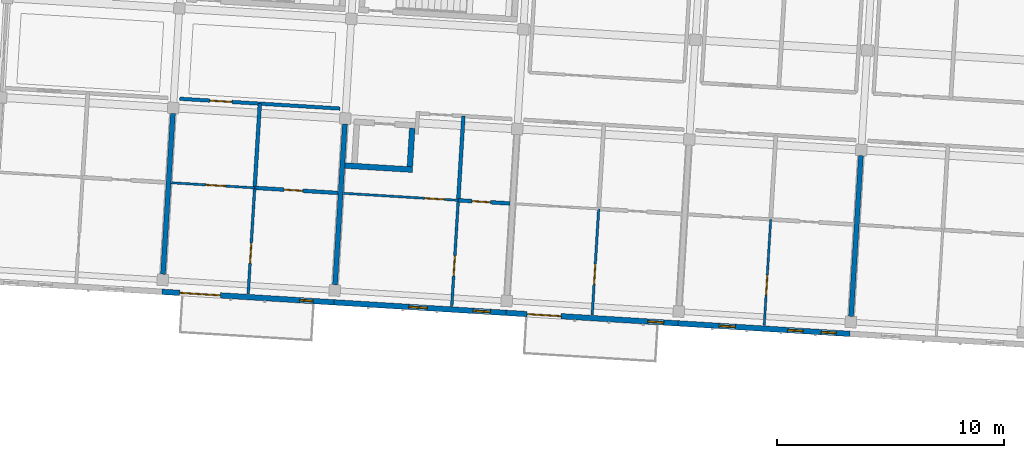
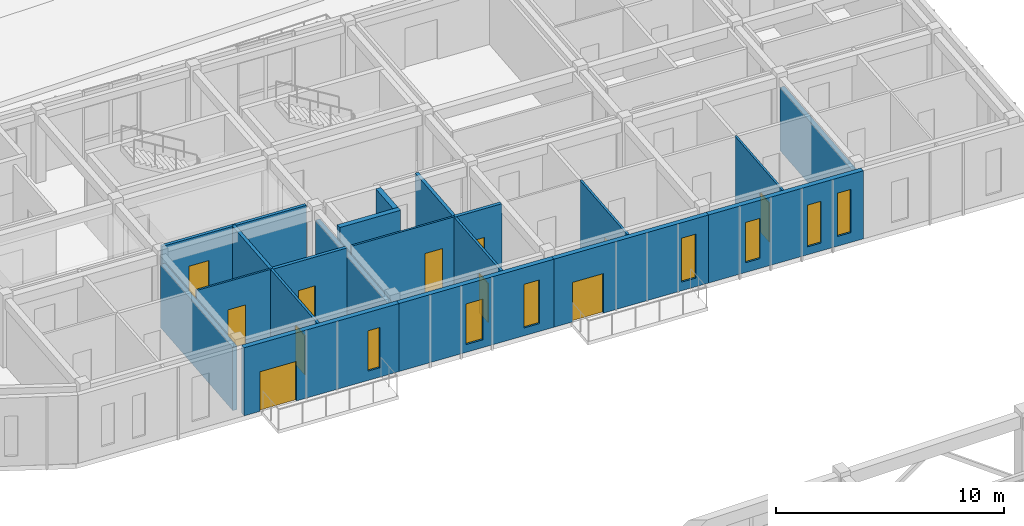
# One storey, part 87 of 150: 20 walls, 11 doors, 7 windows, 18 openings.
"""IFC4 building model written with IfcOpenShell, lengths in metres."""

import ifcopenshell
import ifcopenshell.guid

model = None  # the IFC model being written
_history = None  # IfcOwnerHistory: only IFC2X3 demands one
_inside = {}  # id of a spatial element -> (the spatial element, [elements in it])
_under = {}  # id of a project, library or spatial element -> (it, [spatial elements below it])
_declared = {}  # id of a project -> (the project, [libraries it declares])
_typed = {}  # id of a type object -> (the type object, [elements of that type])
_made_of = {}  # id of a material, layer set ... -> (it, [elements and type objects made of it])


def new_model(schema):
    """Start an empty IFC model of exactly this schema.

    Asked for "IFC4X3", IfcOpenShell would pick the latest addendum, in which some entities
    have other attributes; the version numbers below select the first issue.
    IFC2X3 requires an IfcOwnerHistory on every rooted entity: one is made here for all.
    """
    global model, _history
    if schema == "IFC4X3":
        model = ifcopenshell.file(schema_version=(4, 3, 0, 0))
    else:
        model = ifcopenshell.file(schema=schema)
    _inside.clear()
    _under.clear()
    _declared.clear()
    _typed.clear()
    _made_of.clear()
    _history = None
    if model.schema == "IFC2X3":
        org = make("IfcOrganization", Name="unknown")
        user = make(
            "IfcPersonAndOrganization",
            ThePerson=make("IfcPerson", FamilyName="unknown"),
            TheOrganization=org,
        )
        app = make(
            "IfcApplication",
            ApplicationDeveloper=org,
            Version="unknown",
            ApplicationFullName="unknown",
            ApplicationIdentifier="unknown",
        )
        _history = make(
            "IfcOwnerHistory",
            OwningUser=user,
            OwningApplication=app,
            ChangeAction="ADDED",
            CreationDate=0,
        )
    return model


def make(cls, **values):
    """One entity of the class cls with the attributes given. An attribute that is None is left unset."""
    return model.create_entity(
        cls, **{name: value for name, value in values.items() if value is not None}
    )


def rooted(cls, **values):
    """An entity with a GlobalId (a new one), such as an element, a storey or a relation."""
    return make(cls, GlobalId=ifcopenshell.guid.new(), OwnerHistory=_history, **values)


def si_unit(unit_type, name, prefix=None):
    """IfcSIUnit, for example si_unit("LENGTHUNIT", "METRE", prefix="MILLI")."""
    return make("IfcSIUnit", UnitType=unit_type, Prefix=prefix, Name=name)


def assignment(units):
    """IfcUnitAssignment: the units of a project."""
    return None if units is None else make("IfcUnitAssignment", Units=units)


def point(xyz):
    """IfcCartesianPoint."""
    return None if xyz is None else make("IfcCartesianPoint", Coordinates=xyz)


def direction(xyz):
    """IfcDirection."""
    return None if xyz is None else make("IfcDirection", DirectionRatios=xyz)


def frame(location, z_axis=None, x_axis=None):
    """IfcAxis2Placement3D, a coordinate frame: its origin and axes. An axis left out is left unset."""
    return make(
        "IfcAxis2Placement3D",
        Location=point(location),
        Axis=direction(z_axis),
        RefDirection=direction(x_axis),
    )


def frame_2d(location, x_axis=None):
    """IfcAxis2Placement2D, a coordinate frame in the plane: its origin and x axis."""
    return make(
        "IfcAxis2Placement2D", Location=point(location), RefDirection=direction(x_axis)
    )


def origin():
    """The frame at (0, 0, 0) with its axes left unset."""
    return frame((0.0, 0.0, 0.0))


def place(relative_to, where):
    """IfcLocalPlacement: puts the frame where relative to a parent placement (None: the world)."""
    return make(
        "IfcLocalPlacement", PlacementRelTo=relative_to, RelativePlacement=where
    )


def context(
    kind, dimensions, precision=None, world=None, true_north=None, identifier=None
):
    """IfcGeometricRepresentationContext, for example the 3D "Model" context."""
    return make(
        "IfcGeometricRepresentationContext",
        ContextIdentifier=identifier,
        ContextType=kind,
        CoordinateSpaceDimension=dimensions,
        Precision=precision,
        WorldCoordinateSystem=world,
        TrueNorth=true_north,
    )


def subcontext(parent, identifier, kind, view, scale=None):
    """IfcGeometricRepresentationSubContext, for example "Body" below "Model"."""
    return make(
        "IfcGeometricRepresentationSubContext",
        ContextIdentifier=identifier,
        ContextType=kind,
        ParentContext=parent,
        TargetScale=scale,
        TargetView=view,
    )


def project(units=None, contexts=None):
    """IfcProject with its units and contexts."""
    return rooted(
        "IfcProject",
        Name="project",
        RepresentationContexts=contexts,
        UnitsInContext=assignment(units),
    )


def spatial(cls, under=None, at=None, **own):
    """A site, building, storey or space (cls), placed at a placement, below another one or the project."""
    s = rooted(cls, ObjectPlacement=at, **own)
    if under is not None:
        _under.setdefault(under.id(), (under, []))[1].append(s)
    return s


def profile(cls, at=None, kind="AREA", **sizes):
    """A parametric profile (cls). Its sizes go by their IFC names, for example OverallWidth=200.0."""
    return make(cls, ProfileType=kind, Position=at, **sizes)


def rectangle(**sizes):
    """IfcRectangleProfileDef."""
    return profile("IfcRectangleProfileDef", **sizes)


def extrude(swept, where, along, depth):
    """IfcExtrudedAreaSolid: the profile swept, set in the frame where, extruded along a direction by depth."""
    return make(
        "IfcExtrudedAreaSolid",
        SweptArea=swept,
        Position=where,
        ExtrudedDirection=direction(along),
        Depth=depth,
    )


def shape(context_of_items, identifier, shape_type, items):
    """IfcShapeRepresentation: the items that make up one representation, for example the "Body"."""
    return make(
        "IfcShapeRepresentation",
        ContextOfItems=context_of_items,
        RepresentationIdentifier=identifier,
        RepresentationType=shape_type,
        Items=items,
    )


def material(Name=None, Category=None):
    """IfcMaterial."""
    return make("IfcMaterial", Name=Name, Category=Category)


def layer(
    of_material, thickness, ventilated=None, Name=None, Category=None, Priority=None
):
    """IfcMaterialLayer: one layer of a wall or slab, of a material (None: an air gap)."""
    return make(
        "IfcMaterialLayer",
        Material=of_material,
        LayerThickness=thickness,
        IsVentilated=ventilated,
        Name=Name,
        Category=Category,
        Priority=Priority,
    )


def layer_set(layers, Name=None):
    """IfcMaterialLayerSet."""
    return make("IfcMaterialLayerSet", MaterialLayers=layers, LayerSetName=Name)


def made_of(thing, what):
    """Note that an element or type object is made of a material, layer set ...; save() writes the relation."""
    if what is not None:
        _made_of.setdefault(what.id(), (what, []))[1].append(thing)
    return thing


def type_object(cls, material=None, **own):
    """A type object (cls), such as IfcWallType, which elements share."""
    return made_of(rooted(cls, **own), material)


def element(
    cls,
    number,
    at=None,
    inside=None,
    cuts=None,
    type_object=None,
    material=None,
    context=None,
    identifier="Body",
    shape_type=None,
    held_by="IfcProductDefinitionShape",
    body=None,
    shapes=None,
    **own,
):
    """One element of the class cls, such as IfcWall. Its Tag is "e" and its number.

    at: its placement. inside: the storey or other place that contains it. cuts: it is an
    opening in that element (IfcRelVoidsElement). A single representation is given by context,
    identifier, shape_type and body (its items); several are given by shapes. held_by: the class
    of the entity that holds the representations. save() writes the other relations.
    """
    e = rooted(cls, Tag="e%d" % number, ObjectPlacement=at, **own)
    if body is not None:
        shapes = [shape(context, identifier, shape_type, body)]
    if shapes is not None:
        e.Representation = make(held_by, Representations=shapes)
    if inside is not None:
        _inside.setdefault(inside.id(), (inside, []))[1].append(e)
    if cuts is not None:
        rooted(
            "IfcRelVoidsElement", RelatingBuildingElement=cuts, RelatedOpeningElement=e
        )
    if type_object is not None:
        _typed.setdefault(type_object.id(), (type_object, []))[1].append(e)
    return made_of(e, material)


def fill(opening, filler):
    """IfcRelFillsElement: the door or window that sits in an opening."""
    return rooted(
        "IfcRelFillsElement",
        RelatingOpeningElement=opening,
        RelatedBuildingElement=filler,
    )


def aggregate(whole, parts):
    """IfcRelAggregates: a whole, such as a stair, and the parts it consists of."""
    return rooted("IfcRelAggregates", RelatingObject=whole, RelatedObjects=parts)


def save(model, path):
    """Write the relations noted so far, then the file.

    IfcRelAggregates (storeys below a building ...), IfcRelContainedInSpatialStructure (elements
    in a storey), IfcRelDefinesByType, IfcRelAssociatesMaterial and IfcRelDeclares: one each for
    every whole, place, type object, material and project.
    """
    for whole, parts in _under.values():
        aggregate(whole, parts)
    for where, things in _inside.values():
        rooted(
            "IfcRelContainedInSpatialStructure",
            RelatedElements=things,
            RelatingStructure=where,
        )
    for kind, things in _typed.values():
        rooted("IfcRelDefinesByType", RelatedObjects=things, RelatingType=kind)
    for what, things in _made_of.values():
        rooted("IfcRelAssociatesMaterial", RelatedObjects=things, RelatingMaterial=what)
    for by, libraries in _declared.values():
        rooted("IfcRelDeclares", RelatingContext=by, RelatedDefinitions=libraries)
    model.write(path)


model = new_model("IFC4")

# Units and contexts
model_context = context("Model", 3, precision=1e-05, world=origin(), true_north=direction((0.0, 1.0)))
body_context = subcontext(model_context, "Body", "Model", "MODEL_VIEW")
ifc_project = project(units=[si_unit("LENGTHUNIT", "METRE"), si_unit("AREAUNIT", "SQUARE_METRE"), si_unit("VOLUMEUNIT", "CUBIC_METRE"), si_unit("PLANEANGLEUNIT", "RADIAN"), si_unit("MASSUNIT", "GRAM", prefix="KILO")], contexts=[model_context])

# Site, building, storey
site_placement = place(None, origin())
site = spatial("IfcSite", under=ifc_project, at=site_placement, CompositionType="ELEMENT")
building_placement = place(site_placement, origin())
building = spatial("IfcBuilding", under=site, at=building_placement, Name="Kestramere Prow Commons", CompositionType="ELEMENT")
storey_placement = place(building_placement, frame((0.0, 0.0, 4.5)))
storey = spatial("IfcBuildingStorey", under=building, at=storey_placement, Name="L01", CompositionType="ELEMENT", Elevation=4.5)

# Wall, openings, door, window
ifc_material_1 = material(Name="Fluoropolymer Standing-Seam Zinc-Aluminium Cladding", Category="aluminium")
ifc_layer_1 = layer(ifc_material_1, 0.239990234375)
ifc_layer_set_1 = layer_set([ifc_layer_1], Name="Fluoropolymer Standing-Seam Zinc-Aluminium Cladding")
wall_type_1 = type_object("IfcWallType", Name="EW-SEAM-240", PredefinedType="SOLIDWALL", material=ifc_layer_set_1)
wall_1_placement = place(storey_placement, frame((74.6396484375, 45.048095703125, 0.0), z_axis=(0.0, 0.0, 1.0), x_axis=(-0.998135669243, 0.061034300063, 0.0)))
wall_1 = element("IfcWall", 1, at=wall_1_placement, inside=storey, type_object=wall_type_1, Name="Block C L01 South Standing-Seam Wall 2", PredefinedType="SOLIDWALL", context=body_context, shape_type="SweptSolid", body=[
    extrude(rectangle(XDim=7.60009765625, YDim=0.239990234375, at=frame_2d((3.800048828125, 0.0))), origin(), (0.0, 0.0, 1.0), 3.64990234375),
])
opening_1_placement = place(wall_1_placement, frame((5.01904296875, 0.0, 0.0)))
opening_1 = element("IfcOpeningElement", 2, at=opening_1_placement, cuts=wall_1, Name="Opening GD-BAL-02", PredefinedType="OPENING", context=body_context, shape_type="SweptSolid", body=[
    extrude(rectangle(XDim=1.800048828125, YDim=2.1201171875, at=frame_2d((0.89990234375, 1.06005859375))), frame((0.0, 0.135009765625, 0.0), z_axis=(0.0, -1.0, 0.0), x_axis=(1.0, 0.0, 0.0)), (0.0, 0.0, 1.0), 0.27001953125),
])
opening_2_placement = place(wall_1_placement, frame((0.929931640625, 0.0, 0.5)))
opening_2 = element("IfcOpeningElement", 3, at=opening_2_placement, cuts=wall_1, Name="Opening WN-01", PredefinedType="OPENING", context=body_context, shape_type="SweptSolid", body=[
    extrude(rectangle(XDim=0.580078125, YDim=2.159912109375, at=frame_2d((0.2900390625, 1.080078125))), frame((0.0, 0.135009765625, 0.0), z_axis=(0.0, -1.0, 0.0), x_axis=(1.0, 0.0, 0.0)), (0.0, 0.0, 1.0), 0.27001953125),
])
ifc_material_2 = material(Name="Thermally-Broken Anodised Aluminium Glazed", Category="aluminium")
door_type_1 = type_object("IfcDoorType", Name="GD-BAL-1800", OperationType="SLIDING_TO_LEFT", PredefinedType="DOOR", material=ifc_material_2)
door_1_placement = place(opening_1_placement, origin())
door_1 = element("IfcDoor", 4, at=door_1_placement, inside=storey, type_object=door_type_1, Name="Block C L01 Balcony Door 2", OperationType="SLIDING_TO_LEFT", OverallHeight=2.1201171875, OverallWidth=1.800048828125, PredefinedType="DOOR", context=body_context, shape_type="SweptSolid", body=[
    extrude(rectangle(XDim=1.800048828125, YDim=2.1201171875, at=frame_2d((0.89990234375, 1.06005859375))), frame((0.0, 0.02490234375, 0.0), z_axis=(0.0, -1.0, 0.0), x_axis=(1.0, 0.0, 0.0)), (0.0, 0.0, 1.0), 0.050048828125),
])
fill(opening_1, door_1)
ifc_material_3 = material(Name="Low-E Laminated Double Glazing", Category="glass")
window_type_1 = type_object("IfcWindowType", Name="WN-NAR-580A", PartitioningType="SINGLE_PANEL", PredefinedType="WINDOW", material=ifc_material_3)
window_1_placement = place(opening_2_placement, origin())
window_1 = element("IfcWindow", 5, at=window_1_placement, inside=storey, type_object=window_type_1, Name="WN-C-L01-SR-1", OverallHeight=2.159912109375, OverallWidth=0.580078125, PartitioningType="SINGLE_PANEL", PredefinedType="WINDOW", context=body_context, shape_type="SweptSolid", body=[
    extrude(rectangle(XDim=0.580078125, YDim=2.159912109375, at=frame_2d((0.2900390625, 1.080078125))), frame((0.0, 0.030029296875, 0.0), z_axis=(0.0, -1.0, 0.0), x_axis=(1.0, 0.0, 0.0)), (0.0, 0.0, 1.0), 0.06005859375),
])
fill(opening_2, window_1)

# Wall, openings, windows
wall_2_placement = place(storey_placement, frame((82.225341796875, 44.583984375, 0.0), z_axis=(0.0, 0.0, 1.0), x_axis=(-0.998133591969, 0.061068261669, 0.0)))
wall_2 = element("IfcWall", 6, at=wall_2_placement, inside=storey, type_object=wall_type_1, Name="Block C L01 South Standing-Seam Wall 3", PredefinedType="SOLIDWALL", context=body_context, shape_type="SweptSolid", body=[
    extrude(rectangle(XDim=7.599853515625, YDim=0.239990234375, at=frame_2d((3.7998046875, 0.0))), origin(), (0.0, 0.0, 1.0), 3.64990234375),
])
opening_3_placement = place(wall_2_placement, frame((0.69287109375, 0.0, 0.419921875)))
opening_3 = element("IfcOpeningElement", 7, at=opening_3_placement, cuts=wall_2, Name="Opening WN-10", PredefinedType="OPENING", context=body_context, shape_type="SweptSolid", body=[
    extrude(rectangle(XDim=0.760009765625, YDim=2.340087890625, at=frame_2d((0.3798828125, 1.169921875))), frame((0.0, 0.135009765625, 0.0), z_axis=(0.0, -1.0, 0.0), x_axis=(1.0, 0.0, 0.0)), (0.0, 0.0, 1.0), 0.27001953125),
])
opening_4_placement = place(wall_2_placement, frame((3.476318359375, 0.0, 0.419921875)))
opening_4 = element("IfcOpeningElement", 8, at=opening_4_placement, cuts=wall_2, Name="Opening WN-13", PredefinedType="OPENING", context=body_context, shape_type="SweptSolid", body=[
    extrude(rectangle(XDim=0.820068359375, YDim=2.179931640625, at=frame_2d((0.41015625, 1.08984375))), frame((0.0, 0.135009765625, 0.0), z_axis=(0.0, -1.0, 0.0), x_axis=(1.0, 0.0, 0.0)), (0.0, 0.0, 1.0), 0.27001953125),
])
window_type_2 = type_object("IfcWindowType", Name="WN-NAR-760A", PartitioningType="SINGLE_PANEL", PredefinedType="WINDOW", material=ifc_material_3)
window_2_placement = place(opening_3_placement, origin())
window_2 = element("IfcWindow", 9, at=window_2_placement, inside=storey, type_object=window_type_2, Name="WN-C-L01-S-2-00", OverallHeight=2.340087890625, OverallWidth=0.760009765625, PartitioningType="SINGLE_PANEL", PredefinedType="WINDOW", context=body_context, shape_type="SweptSolid", body=[
    extrude(rectangle(XDim=0.760009765625, YDim=2.340087890625, at=frame_2d((0.3798828125, 1.169921875))), frame((0.0, 0.030029296875, 0.0), z_axis=(0.0, -1.0, 0.0), x_axis=(1.0, 0.0, 0.0)), (0.0, 0.0, 1.0), 0.06005859375),
])
fill(opening_3, window_2)
window_type_3 = type_object("IfcWindowType", Name="WN-NAR-820A", PartitioningType="DOUBLE_PANEL_VERTICAL", PredefinedType="WINDOW", material=ifc_material_3)
window_3_placement = place(opening_4_placement, origin())
window_3 = element("IfcWindow", 10, at=window_3_placement, inside=storey, type_object=window_type_3, Name="WN-C-L01-S-2-10", OverallHeight=2.179931640625, OverallWidth=0.820068359375, PartitioningType="SINGLE_PANEL", PredefinedType="WINDOW", context=body_context, shape_type="SweptSolid", body=[
    extrude(rectangle(XDim=0.820068359375, YDim=2.179931640625, at=frame_2d((0.41015625, 1.08984375))), frame((0.0, 0.030029296875, 0.0), z_axis=(0.0, -1.0, 0.0), x_axis=(1.0, 0.0, 0.0)), (0.0, 0.0, 1.0), 0.06005859375),
])
fill(opening_4, window_3)

# Wall, openings, door, window
wall_3_placement = place(storey_placement, frame((89.811279296875, 44.1201171875, 0.0), z_axis=(0.0, 0.0, 1.0), x_axis=(-0.998135669243, 0.061034300063, 0.0)))
wall_3 = element("IfcWall", 11, at=wall_3_placement, inside=storey, type_object=wall_type_1, Name="Block C L01 South Standing-Seam Wall 4", PredefinedType="SOLIDWALL", context=body_context, shape_type="SweptSolid", body=[
    extrude(rectangle(XDim=7.60009765625, YDim=0.239990234375, at=frame_2d((3.800048828125, 0.0))), origin(), (0.0, 0.0, 1.0), 3.64990234375),
])
opening_5_placement = place(wall_3_placement, frame((5.1689453125, 0.0, 0.0)))
opening_5 = element("IfcOpeningElement", 12, at=opening_5_placement, cuts=wall_3, Name="Opening GD-BAL-01", PredefinedType="OPENING", context=body_context, shape_type="SweptSolid", body=[
    extrude(rectangle(XDim=1.5, YDim=2.1201171875, at=frame_2d((0.75, 1.06005859375))), frame((0.0, 0.135009765625, 0.0), z_axis=(0.0, -1.0, 0.0), x_axis=(1.0, 0.0, 0.0)), (0.0, 0.0, 1.0), 0.27001953125),
])
opening_6_placement = place(wall_3_placement, frame((0.6298828125, 0.0, 0.4599609375)))
opening_6 = element("IfcOpeningElement", 13, at=opening_6_placement, cuts=wall_3, Name="Opening WN-07", PredefinedType="OPENING", context=body_context, shape_type="SweptSolid", body=[
    extrude(rectangle(XDim=0.699951171875, YDim=2.360107421875, at=frame_2d((0.35009765625, 1.18017578125))), frame((0.0, 0.135009765625, 0.0), z_axis=(0.0, -1.0, 0.0), x_axis=(1.0, 0.0, 0.0)), (0.0, 0.0, 1.0), 0.27001953125),
])
door_type_2 = type_object("IfcDoorType", Name="GD-BAL-1500", OperationType="SLIDING_TO_RIGHT", PredefinedType="DOOR", material=ifc_material_2)
door_2_placement = place(opening_5_placement, origin())
door_2 = element("IfcDoor", 14, at=door_2_placement, inside=storey, type_object=door_type_2, Name="Block C L01 Balcony Door 4", OperationType="SLIDING_TO_RIGHT", OverallHeight=2.1201171875, OverallWidth=1.5, PredefinedType="DOOR", context=body_context, shape_type="SweptSolid", body=[
    extrude(rectangle(XDim=1.5, YDim=2.1201171875, at=frame_2d((0.75, 1.06005859375))), frame((0.0, 0.02490234375, 0.0), z_axis=(0.0, -1.0, 0.0), x_axis=(1.0, 0.0, 0.0)), (0.0, 0.0, 1.0), 0.050048828125),
])
fill(opening_5, door_2)
window_type_4 = type_object("IfcWindowType", Name="WN-NAR-700A", PartitioningType="SINGLE_PANEL", PredefinedType="WINDOW", material=ifc_material_3)
window_4_placement = place(opening_6_placement, origin())
window_4 = element("IfcWindow", 15, at=window_4_placement, inside=storey, type_object=window_type_4, Name="WN-C-L01-SR-3", OverallHeight=2.360107421875, OverallWidth=0.699951171875, PartitioningType="SINGLE_PANEL", PredefinedType="WINDOW", context=body_context, shape_type="SweptSolid", body=[
    extrude(rectangle(XDim=0.699951171875, YDim=2.360107421875, at=frame_2d((0.35009765625, 1.18017578125))), frame((0.0, 0.030029296875, 0.0), z_axis=(0.0, -1.0, 0.0), x_axis=(1.0, 0.0, 0.0)), (0.0, 0.0, 1.0), 0.06005859375),
])
fill(opening_6, window_4)

# Wall, openings, windows
wall_4_placement = place(storey_placement, frame((97.39697265625, 43.65625, 0.0), z_axis=(0.0, 0.0, 1.0), x_axis=(-0.998135549572, 0.061036257095, 0.0)))
wall_4 = element("IfcWall", 16, at=wall_4_placement, inside=storey, type_object=wall_type_1, Name="Block C L01 South Standing-Seam Wall 5", PredefinedType="SOLIDWALL", context=body_context, shape_type="SweptSolid", body=[
    extrude(rectangle(XDim=7.599853515625, YDim=0.239990234375, at=frame_2d((3.7998046875, 0.0))), origin(), (0.0, 0.0, 1.0), 3.64990234375),
])
opening_7_placement = place(wall_4_placement, frame((0.610107421875, 0.0, 0.52001953125)))
opening_7 = element("IfcOpeningElement", 17, at=opening_7_placement, cuts=wall_4, Name="Opening WN-05", PredefinedType="OPENING", context=body_context, shape_type="SweptSolid", body=[
    extrude(rectangle(XDim=0.659912109375, YDim=2.320068359375, at=frame_2d((0.330078125, 1.16015625))), frame((0.0, 0.135009765625, 0.0), z_axis=(0.0, -1.0, 0.0), x_axis=(1.0, 0.0, 0.0)), (0.0, 0.0, 1.0), 0.27001953125),
])
opening_8_placement = place(wall_4_placement, frame((2.072021484375, 0.0, 0.419921875)))
opening_8 = element("IfcOpeningElement", 18, at=opening_8_placement, cuts=wall_4, Name="Opening WN-06", PredefinedType="OPENING", context=body_context, shape_type="SweptSolid", body=[
    extrude(rectangle(XDim=0.679931640625, YDim=2.239990234375, at=frame_2d((0.33984375, 1.1201171875))), frame((0.0, 0.135009765625, 0.0), z_axis=(0.0, -1.0, 0.0), x_axis=(1.0, 0.0, 0.0)), (0.0, 0.0, 1.0), 0.27001953125),
])
opening_9_placement = place(wall_4_placement, frame((5.065673828125, 0.0, 0.52001953125)))
opening_9 = element("IfcOpeningElement", 19, at=opening_9_placement, cuts=wall_4, Name="Opening WN-08", PredefinedType="OPENING", context=body_context, shape_type="SweptSolid", body=[
    extrude(rectangle(XDim=0.719970703125, YDim=2.159912109375, at=frame_2d((0.35986328125, 1.080078125))), frame((0.0, 0.135009765625, 0.0), z_axis=(0.0, -1.0, 0.0), x_axis=(1.0, 0.0, 0.0)), (0.0, 0.0, 1.0), 0.27001953125),
])
window_type_5 = type_object("IfcWindowType", Name="WN-NAR-660A", PartitioningType="SINGLE_PANEL", PredefinedType="WINDOW", material=ifc_material_3)
window_5_placement = place(opening_7_placement, origin())
window_5 = element("IfcWindow", 20, at=window_5_placement, inside=storey, type_object=window_type_5, Name="WN-C-L01-S-4-00", OverallHeight=2.320068359375, OverallWidth=0.659912109375, PartitioningType="SINGLE_PANEL", PredefinedType="WINDOW", context=body_context, shape_type="SweptSolid", body=[
    extrude(rectangle(XDim=0.659912109375, YDim=2.320068359375, at=frame_2d((0.330078125, 1.16015625))), frame((0.0, 0.030029296875, 0.0), z_axis=(0.0, -1.0, 0.0), x_axis=(1.0, 0.0, 0.0)), (0.0, 0.0, 1.0), 0.06005859375),
])
fill(opening_7, window_5)
window_type_6 = type_object("IfcWindowType", Name="WN-NAR-680A", PartitioningType="SINGLE_PANEL", PredefinedType="WINDOW", material=ifc_material_3)
window_6_placement = place(opening_8_placement, origin())
window_6 = element("IfcWindow", 21, at=window_6_placement, inside=storey, type_object=window_type_6, Name="WN-C-L01-S-4-01", OverallHeight=2.239990234375, OverallWidth=0.679931640625, PartitioningType="SINGLE_PANEL", PredefinedType="WINDOW", context=body_context, shape_type="SweptSolid", body=[
    extrude(rectangle(XDim=0.679931640625, YDim=2.239990234375, at=frame_2d((0.33984375, 1.1201171875))), frame((0.0, 0.030029296875, 0.0), z_axis=(0.0, -1.0, 0.0), x_axis=(1.0, 0.0, 0.0)), (0.0, 0.0, 1.0), 0.06005859375),
])
fill(opening_8, window_6)
window_type_7 = type_object("IfcWindowType", Name="WN-NAR-720A", PartitioningType="SINGLE_PANEL", PredefinedType="WINDOW", material=ifc_material_3)
window_7_placement = place(opening_9_placement, origin())
window_7 = element("IfcWindow", 22, at=window_7_placement, inside=storey, type_object=window_type_7, Name="WN-C-L01-S-4-10", OverallHeight=2.159912109375, OverallWidth=0.719970703125, PartitioningType="SINGLE_PANEL", PredefinedType="WINDOW", context=body_context, shape_type="SweptSolid", body=[
    extrude(rectangle(XDim=0.719970703125, YDim=2.159912109375, at=frame_2d((0.35986328125, 1.080078125))), frame((0.0, 0.030029296875, 0.0), z_axis=(0.0, -1.0, 0.0), x_axis=(1.0, 0.0, 0.0)), (0.0, 0.0, 1.0), 0.06005859375),
])
fill(opening_9, window_7)

# Wall, opening, door
ifc_material_4 = material(Name="Fire-Rated Calcium Silicate Wall")
ifc_layer_2 = layer(ifc_material_4, 0.155029296875)
ifc_layer_set_2 = layer_set([ifc_layer_2], Name="Fire-Rated Calcium Silicate Wall")
wall_type_2 = type_object("IfcWallType", Name="W-FIRE-150", PredefinedType="PARTITIONING", material=ifc_layer_set_2)
wall_5_placement = place(storey_placement, frame((67.8349609375, 54.025146484375, 0.0), z_axis=(0.0, 0.0, 1.0), x_axis=(0.998135666539, -0.061034344288, 0.0)))
wall_5 = element("IfcWall", 23, at=wall_5_placement, inside=storey, type_object=wall_type_2, Name="Interior Partition PW-C-L01-CS-1", PredefinedType="PARTITIONING", context=body_context, shape_type="SweptSolid", body=[
    extrude(rectangle(XDim=7.080078125, YDim=0.155029296875, at=frame_2d((3.5400390625, 0.0))), origin(), (0.0, 0.0, 1.0), 3.6201171875),
])
opening_10_placement = place(wall_5_placement, frame((1.330078125, 0.0, 0.0)))
opening_10 = element("IfcOpeningElement", 24, at=opening_10_placement, cuts=wall_5, Name="Opening ID-04", PredefinedType="OPENING", context=body_context, shape_type="SweptSolid", body=[
    extrude(rectangle(XDim=0.97998046875, YDim=2.14990234375, at=frame_2d((0.489990234375, 1.074951171875))), frame((0.0, 0.092529296875, 0.0), z_axis=(0.0, -1.0, 0.0), x_axis=(1.0, 0.0, 0.0)), (0.0, 0.0, 1.0), 0.18505859375),
])
ifc_material_5 = material(Name="Hardwood Fire-Rated Flat Entrance Door", Category="wood")
door_type_3 = type_object("IfcDoorType", Name="FD-ENT-01", OperationType="NOTDEFINED", PredefinedType="DOOR", material=ifc_material_5)
door_3_placement = place(opening_10_placement, origin())
door_3 = element("IfcDoor", 25, at=door_3_placement, inside=storey, type_object=door_type_3, Name="Interior Door DR-C-L01-ENT-S1", OperationType="SINGLE_SWING_LEFT", OverallHeight=2.14990234375, OverallWidth=0.97998046875, PredefinedType="DOOR", context=body_context, shape_type="SweptSolid", body=[
    extrude(rectangle(XDim=0.97998046875, YDim=2.14990234375, at=frame_2d((0.489990234375, 1.074951171875))), frame((0.0, 0.02490234375, 0.0), z_axis=(0.0, -1.0, 0.0), x_axis=(1.0, 0.0, 0.0)), (0.0, 0.0, 1.0), 0.050048828125),
])
fill(opening_10, door_3)

# Walls
ifc_material_6 = material(Name="Concrete C40/50", Category="concrete")
ifc_layer_3 = layer(ifc_material_6, 0.25)
ifc_layer_set_3 = layer_set([ifc_layer_3], Name="Concrete C40/50")
wall_type_3 = type_object("IfcWallType", Name="W-HS-250", PredefinedType="SHEAR", material=ifc_layer_set_3)
wall_6_placement = place(storey_placement, frame((75.11865234375, 51.080078125, 0.0), z_axis=(0.0, 0.0, 1.0), x_axis=(0.998133370443, -0.061071882298, 0.0)))
element("IfcWall", 26, at=wall_6_placement, inside=storey, type_object=wall_type_3, Name="Block C L01 Household Shelter South Wall", PredefinedType="SHEAR", context=body_context, shape_type="SweptSolid", body=[
    extrude(rectangle(XDim=2.990234375, YDim=0.25, at=frame_2d((1.4951171875, 0.0))), origin(), (0.0, 0.0, 1.0), 3.89990234375),
])
wall_7_placement = place(storey_placement, frame((77.986083984375, 51.02978515625, 0.0), z_axis=(0.0, 0.0, 1.0), x_axis=(0.061028314627, 0.998136035225, 0.0)))
element("IfcWall", 27, at=wall_7_placement, inside=storey, type_object=wall_type_3, Name="Block C L01 Household Shelter E Wall", PredefinedType="SHEAR", context=body_context, shape_type="SweptSolid", body=[
    extrude(rectangle(XDim=1.7001953125, YDim=0.25, at=frame_2d((0.85009765625, 0.0))), origin(), (0.0, 0.0, 1.0), 3.89990234375),
])

# Wall, opening, door
ifc_material_7 = material(Name="Gypsum Acoustic Drywall")
ifc_layer_4 = layer(ifc_material_7, 0.10009765625)
ifc_layer_set_4 = layer_set([ifc_layer_4], Name="Gypsum Acoustic Drywall")
wall_type_4 = type_object("IfcWallType", Name="W-PART-100", PredefinedType="PARTITIONING", material=ifc_layer_set_4)
wall_8_placement = place(storey_placement, frame((67.463134765625, 50.321044921875, 0.0), z_axis=(0.0, 0.0, 1.0), x_axis=(0.998132682596, -0.061083123148, 0.0)))
wall_8 = element("IfcWall", 28, at=wall_8_placement, inside=storey, type_object=wall_type_4, Name="Interior Partition PW-C-L01-MIDS1-1", PredefinedType="PARTITIONING", context=body_context, shape_type="SweptSolid", body=[
    extrude(rectangle(XDim=3.68505859375, YDim=0.10009765625, at=frame_2d((1.842529296875, 0.0))), origin(), (0.0, 0.0, 1.0), 3.6201171875),
])
opening_11_placement = place(wall_8_placement, frame((1.52490234375, 0.0, 0.0)))
opening_11 = element("IfcOpeningElement", 29, at=opening_11_placement, cuts=wall_8, Name="Opening ID-10", PredefinedType="OPENING", context=body_context, shape_type="SweptSolid", body=[
    extrude(rectangle(XDim=0.8798828125, YDim=2.10009765625, at=frame_2d((0.43994140625, 1.050048828125))), frame((0.0, 0.06494140625, 0.0), z_axis=(0.0, -1.0, 0.0), x_axis=(1.0, 0.0, 0.0)), (0.0, 0.0, 1.0), 0.130126953125),
])
ifc_material_8 = material(Name="Engineered Timber Bedroom Door", Category="wood")
door_type_4 = type_object("IfcDoorType", Name="D-RM-03", OperationType="NOTDEFINED", PredefinedType="DOOR", material=ifc_material_8)
door_4_placement = place(opening_11_placement, origin())
door_4 = element("IfcDoor", 30, at=door_4_placement, inside=storey, type_object=door_type_4, Name="Interior Door DR-C-L01-KL-S1", OperationType="SINGLE_SWING_RIGHT", OverallHeight=2.10009765625, OverallWidth=0.8798828125, PredefinedType="DOOR", context=body_context, shape_type="SweptSolid", body=[
    extrude(rectangle(XDim=0.8798828125, YDim=2.10009765625, at=frame_2d((0.43994140625, 1.050048828125))), frame((0.0, 0.02490234375, 0.0), z_axis=(0.0, -1.0, 0.0), x_axis=(1.0, 0.0, 0.0)), (0.0, 0.0, 1.0), 0.050048828125),
])
fill(opening_11, door_4)

wall_9_placement = place(storey_placement, frame((75.048828125, 49.85693359375, 0.0), z_axis=(0.0, 0.0, 1.0), x_axis=(0.998135637207, -0.061034823981, 0.0)))
wall_9 = element("IfcWall", 31, at=wall_9_placement, inside=storey, type_object=wall_type_4, Name="Interior Partition PW-C-L01-MIDS1-2", PredefinedType="PARTITIONING", context=body_context, shape_type="SweptSolid", body=[
    extrude(rectangle(XDim=5.080078125, YDim=0.10009765625, at=frame_2d((2.5400390625, 0.0))), origin(), (0.0, 0.0, 1.0), 3.6201171875),
])
opening_12_placement = place(wall_9_placement, frame((3.594970703125, 0.0, 0.0)))
opening_12 = element("IfcOpeningElement", 32, at=opening_12_placement, cuts=wall_9, Name="Opening ID-10", PredefinedType="OPENING", context=body_context, shape_type="SweptSolid", body=[
    extrude(rectangle(XDim=0.8798828125, YDim=2.10009765625, at=frame_2d((0.43994140625, 1.050048828125))), frame((0.0, 0.06494140625, 0.0), z_axis=(0.0, -1.0, 0.0), x_axis=(1.0, 0.0, 0.0)), (0.0, 0.0, 1.0), 0.130126953125),
])
door_5_placement = place(opening_12_placement, origin())
door_5 = element("IfcDoor", 33, at=door_5_placement, inside=storey, type_object=door_type_4, Name="Interior Door DR-C-L01-KL-S2", OperationType="SINGLE_SWING_RIGHT", OverallHeight=2.10009765625, OverallWidth=0.8798828125, PredefinedType="DOOR", context=body_context, shape_type="SweptSolid", body=[
    extrude(rectangle(XDim=0.8798828125, YDim=2.10009765625, at=frame_2d((0.43994140625, 1.050048828125))), frame((0.0, 0.02490234375, 0.0), z_axis=(0.0, -1.0, 0.0), x_axis=(1.0, 0.0, 0.0)), (0.0, 0.0, 1.0), 0.050048828125),
])
fill(opening_12, door_5)

wall_10_placement = place(storey_placement, frame((93.6123046875, 44.02294921875, 0.0), z_axis=(0.0, 0.0, 1.0), x_axis=(0.061062434628, 0.998133948465, 0.0)))
wall_10 = element("IfcWall", 34, at=wall_10_placement, inside=storey, type_object=wall_type_4, Name="Interior Partition PW-C-L01-LB-S4", PredefinedType="PARTITIONING", context=body_context, shape_type="SweptSolid", body=[
    extrude(rectangle(XDim=4.68994140625, YDim=0.10009765625, at=frame_2d((2.344970703125, 0.0))), origin(), (0.0, 0.0, 1.0), 3.6201171875),
])
opening_13_placement = place(wall_10_placement, frame((1.35009765625, 0.0, 0.0)))
opening_13 = element("IfcOpeningElement", 35, at=opening_13_placement, cuts=wall_10, Name="Opening ID-10", PredefinedType="OPENING", context=body_context, shape_type="SweptSolid", body=[
    extrude(rectangle(XDim=0.8798828125, YDim=2.10009765625, at=frame_2d((0.43994140625, 1.050048828125))), frame((0.0, 0.06494140625, 0.0), z_axis=(0.0, -1.0, 0.0), x_axis=(1.0, 0.0, 0.0)), (0.0, 0.0, 1.0), 0.130126953125),
])
door_6_placement = place(opening_13_placement, origin())
door_6 = element("IfcDoor", 36, at=door_6_placement, inside=storey, type_object=door_type_4, Name="Interior Door DR-C-L01-BED-S4", OperationType="SINGLE_SWING_LEFT", OverallHeight=2.10009765625, OverallWidth=0.8798828125, PredefinedType="DOOR", context=body_context, shape_type="SweptSolid", body=[
    extrude(rectangle(XDim=0.8798828125, YDim=2.10009765625, at=frame_2d((0.43994140625, 1.050048828125))), frame((0.0, 0.02490234375, 0.0), z_axis=(0.0, -1.0, 0.0), x_axis=(1.0, 0.0, 0.0)), (0.0, 0.0, 1.0), 0.050048828125),
])
fill(opening_13, door_6)

ifc_layer_5 = layer(ifc_material_7, 0.110107421875)
ifc_layer_set_5 = layer_set([ifc_layer_5], Name="Gypsum Acoustic Drywall")
wall_type_5 = type_object("IfcWallType", Name="W-PART-110", PredefinedType="PARTITIONING", material=ifc_layer_set_5)
wall_11_placement = place(storey_placement, frame((86.026611328125, 44.48681640625, 0.0), z_axis=(0.0, 0.0, 1.0), x_axis=(0.061062434628, 0.998133948465, 0.0)))
wall_11 = element("IfcWall", 37, at=wall_11_placement, inside=storey, type_object=wall_type_5, Name="Interior Partition PW-C-L01-LB-S3", PredefinedType="PARTITIONING", context=body_context, shape_type="SweptSolid", body=[
    extrude(rectangle(XDim=4.68994140625, YDim=0.110107421875, at=frame_2d((2.344970703125, 0.0))), origin(), (0.0, 0.0, 1.0), 3.6201171875),
])
opening_14_placement = place(wall_11_placement, frame((1.35009765625, 0.0, 0.0)))
opening_14 = element("IfcOpeningElement", 38, at=opening_14_placement, cuts=wall_11, Name="Opening ID-08", PredefinedType="OPENING", context=body_context, shape_type="SweptSolid", body=[
    extrude(rectangle(XDim=0.89990234375, YDim=2.10009765625, at=frame_2d((0.449951171875, 1.050048828125))), frame((0.0, 0.070068359375, 0.0), z_axis=(0.0, -1.0, 0.0), x_axis=(1.0, 0.0, 0.0)), (0.0, 0.0, 1.0), 0.14013671875),
])
ifc_material_9 = material(Name="Engineered Timber Flush Door", Category="wood")
door_type_5 = type_object("IfcDoorType", Name="D-RM-01", OperationType="NOTDEFINED", PredefinedType="DOOR", material=ifc_material_9)
door_7_placement = place(opening_14_placement, origin())
door_7 = element("IfcDoor", 39, at=door_7_placement, inside=storey, type_object=door_type_5, Name="Interior Door DR-C-L01-BED-S3", OperationType="SINGLE_SWING_RIGHT", OverallHeight=2.10009765625, OverallWidth=0.89990234375, PredefinedType="DOOR", context=body_context, shape_type="SweptSolid", body=[
    extrude(rectangle(XDim=0.89990234375, YDim=2.10009765625, at=frame_2d((0.449951171875, 1.050048828125))), frame((0.0, 0.02490234375, 0.0), z_axis=(0.0, -1.0, 0.0), x_axis=(1.0, 0.0, 0.0)), (0.0, 0.0, 1.0), 0.050048828125),
])
fill(opening_14, door_7)

ifc_material_10 = material(Name="Lightweight Blockwork and Plaster", Category="masonry")
ifc_layer_6 = layer(ifc_material_10, 0.1201171875)
ifc_layer_set_6 = layer_set([ifc_layer_6], Name="Lightweight Blockwork and Plaster")
wall_type_6 = type_object("IfcWallType", Name="W-PART-120", PredefinedType="PARTITIONING", material=ifc_layer_set_6)
wall_12_placement = place(storey_placement, frame((70.85498046875, 45.414794921875, 0.0), z_axis=(0.0, 0.0, 1.0), x_axis=(0.061062434628, 0.998133948465, 0.0)))
wall_12 = element("IfcWall", 40, at=wall_12_placement, inside=storey, type_object=wall_type_6, Name="Interior Partition PW-C-L01-LB-S1", PredefinedType="PARTITIONING", context=body_context, shape_type="SweptSolid", body=[
    extrude(rectangle(XDim=4.68994140625, YDim=0.1201171875, at=frame_2d((2.344970703125, 0.0))), origin(), (0.0, 0.0, 1.0), 3.6201171875),
])
opening_15_placement = place(wall_12_placement, frame((1.35009765625, 0.0, 0.0)))
opening_15 = element("IfcOpeningElement", 41, at=opening_15_placement, cuts=wall_12, Name="Opening ID-08", PredefinedType="OPENING", context=body_context, shape_type="SweptSolid", body=[
    extrude(rectangle(XDim=0.89990234375, YDim=2.10009765625, at=frame_2d((0.449951171875, 1.050048828125))), frame((0.0, 0.074951171875, 0.0), z_axis=(0.0, -1.0, 0.0), x_axis=(1.0, 0.0, 0.0)), (0.0, 0.0, 1.0), 0.150146484375),
])
door_8_placement = place(opening_15_placement, origin())
door_8 = element("IfcDoor", 42, at=door_8_placement, inside=storey, type_object=door_type_5, Name="Interior Door DR-C-L01-BED-S1", OperationType="SINGLE_SWING_RIGHT", OverallHeight=2.10009765625, OverallWidth=0.89990234375, PredefinedType="DOOR", context=body_context, shape_type="SweptSolid", body=[
    extrude(rectangle(XDim=0.89990234375, YDim=2.10009765625, at=frame_2d((0.449951171875, 1.050048828125))), frame((0.0, 0.02490234375, 0.0), z_axis=(0.0, -1.0, 0.0), x_axis=(1.0, 0.0, 0.0)), (0.0, 0.0, 1.0), 0.050048828125),
])
fill(opening_15, door_8)

wall_13_placement = place(storey_placement, frame((79.833251953125, 44.86572265625, 0.0), z_axis=(0.0, 0.0, 1.0), x_axis=(0.061010571843, 0.998137119901, 0.0)))
wall_13 = element("IfcWall", 43, at=wall_13_placement, inside=storey, type_object=wall_type_6, Name="Interior Partition PW-C-L01-LB-S2", PredefinedType="PARTITIONING", context=body_context, shape_type="SweptSolid", body=[
    extrude(rectangle(XDim=4.68994140625, YDim=0.1201171875, at=frame_2d((2.344970703125, 0.0))), origin(), (0.0, 0.0, 1.0), 3.6201171875),
])
opening_16_placement = place(wall_13_placement, frame((1.35009765625, 0.0, 0.0)))
opening_16 = element("IfcOpeningElement", 44, at=opening_16_placement, cuts=wall_13, Name="Opening ID-08", PredefinedType="OPENING", context=body_context, shape_type="SweptSolid", body=[
    extrude(rectangle(XDim=0.89990234375, YDim=2.10009765625, at=frame_2d((0.449951171875, 1.050048828125))), frame((0.0, 0.074951171875, 0.0), z_axis=(0.0, -1.0, 0.0), x_axis=(1.0, 0.0, 0.0)), (0.0, 0.0, 1.0), 0.150146484375),
])
door_9_placement = place(opening_16_placement, origin())
door_9 = element("IfcDoor", 45, at=door_9_placement, inside=storey, type_object=door_type_5, Name="Interior Door DR-C-L01-BED-S2", OperationType="SINGLE_SWING_LEFT", OverallHeight=2.10009765625, OverallWidth=0.89990234375, PredefinedType="DOOR", context=body_context, shape_type="SweptSolid", body=[
    extrude(rectangle(XDim=0.89990234375, YDim=2.10009765625, at=frame_2d((0.449951171875, 1.050048828125))), frame((0.0, 0.02490234375, 0.0), z_axis=(0.0, -1.0, 0.0), x_axis=(1.0, 0.0, 0.0)), (0.0, 0.0, 1.0), 0.050048828125),
])
fill(opening_16, door_9)

ifc_material_11 = material(Name="Waterproof Sanitary Masonry Wall", Category="masonry")
ifc_layer_7 = layer(ifc_material_11, 0.1650390625)
ifc_layer_set_7 = layer_set([ifc_layer_7], Name="Waterproof Sanitary Masonry Wall")
wall_type_7 = type_object("IfcWallType", Name="W-PLUMB-150", PredefinedType="PLUMBINGWALL", material=ifc_layer_set_7)
wall_14_placement = place(storey_placement, frame((71.141357421875, 50.095947265625, 0.0), z_axis=(0.0, 0.0, 1.0), x_axis=(0.998136472989, -0.061021154439, 0.0)))
wall_14 = element("IfcWall", 46, at=wall_14_placement, inside=storey, type_object=wall_type_7, Name="Interior Partition PW-C-L01-MIDS2-1", PredefinedType="PLUMBINGWALL", context=body_context, shape_type="SweptSolid", body=[
    extrude(rectangle(XDim=3.684814453125, YDim=0.1650390625, at=frame_2d((1.84228515625, 0.0))), origin(), (0.0, 0.0, 1.0), 3.6201171875),
])
opening_17_placement = place(wall_14_placement, frame((1.300048828125, 0.0, 0.0)))
opening_17 = element("IfcOpeningElement", 47, at=opening_17_placement, cuts=wall_14, Name="Opening ID-11", PredefinedType="OPENING", context=body_context, shape_type="SweptSolid", body=[
    extrude(rectangle(XDim=0.820068359375, YDim=2.080078125, at=frame_2d((0.41015625, 1.0400390625))), frame((0.0, 0.097412109375, 0.0), z_axis=(0.0, -1.0, 0.0), x_axis=(1.0, 0.0, 0.0)), (0.0, 0.0, 1.0), 0.195068359375),
])
ifc_material_12 = material(Name="Moisture-Resistant Timber Bathroom Door", Category="wood")
door_type_6 = type_object("IfcDoorType", Name="D-BT-01", OperationType="NOTDEFINED", PredefinedType="DOOR", material=ifc_material_12)
door_10_placement = place(opening_17_placement, origin())
door_10 = element("IfcDoor", 48, at=door_10_placement, inside=storey, type_object=door_type_6, Name="Interior Door DR-C-L01-BTH-S1", OperationType="SINGLE_SWING_LEFT", OverallHeight=2.080078125, OverallWidth=0.820068359375, PredefinedType="DOOR", context=body_context, shape_type="SweptSolid", body=[
    extrude(rectangle(XDim=0.820068359375, YDim=2.080078125, at=frame_2d((0.41015625, 1.0400390625))), frame((0.0, 0.02490234375, 0.0), z_axis=(0.0, -1.0, 0.0), x_axis=(1.0, 0.0, 0.0)), (0.0, 0.0, 1.0), 0.050048828125),
])
fill(opening_17, door_10)

# Wall
wall_15_placement = place(storey_placement, frame((71.141357421875, 50.095947265625, 0.0), z_axis=(0.0, 0.0, 1.0), x_axis=(0.061034005467, 0.998135687257, 0.0)))
element("IfcWall", 49, at=wall_15_placement, inside=storey, type_object=wall_type_7, Name="Interior Partition PW-C-L01-KB-S1", PredefinedType="PLUMBINGWALL", context=body_context, shape_type="SweptSolid", body=[
    extrude(rectangle(XDim=3.719970703125, YDim=0.1650390625, at=frame_2d((1.85986328125, 0.0))), origin(), (0.0, 0.0, 1.0), 3.6201171875),
])

# Wall, opening, door
wall_16_placement = place(storey_placement, frame((80.119384765625, 49.546875, 0.0), z_axis=(0.0, 0.0, 1.0), x_axis=(0.99813262565, -0.061084053668, 0.0)))
wall_16 = element("IfcWall", 50, at=wall_16_placement, inside=storey, type_object=wall_type_7, Name="Interior Partition PW-C-L01-MIDS2-2", PredefinedType="PLUMBINGWALL", context=body_context, shape_type="SweptSolid", body=[
    extrude(rectangle(XDim=2.290283203125, YDim=0.1650390625, at=frame_2d((1.14501953125, 0.0))), origin(), (0.0, 0.0, 1.0), 3.6201171875),
])
opening_18_placement = place(wall_16_placement, frame((0.60302734375, 0.0, 0.0)))
opening_18 = element("IfcOpeningElement", 51, at=opening_18_placement, cuts=wall_16, Name="Opening ID-11", PredefinedType="OPENING", context=body_context, shape_type="SweptSolid", body=[
    extrude(rectangle(XDim=0.820068359375, YDim=2.080078125, at=frame_2d((0.41015625, 1.0400390625))), frame((0.0, 0.097412109375, 0.0), z_axis=(0.0, -1.0, 0.0), x_axis=(1.0, 0.0, 0.0)), (0.0, 0.0, 1.0), 0.195068359375),
])
door_11_placement = place(opening_18_placement, origin())
door_11 = element("IfcDoor", 52, at=door_11_placement, inside=storey, type_object=door_type_6, Name="Interior Door DR-C-L01-BTH-S2", OperationType="SINGLE_SWING_LEFT", OverallHeight=2.080078125, OverallWidth=0.820068359375, PredefinedType="DOOR", context=body_context, shape_type="SweptSolid", body=[
    extrude(rectangle(XDim=0.820068359375, YDim=2.080078125, at=frame_2d((0.41015625, 1.0400390625))), frame((0.0, 0.02490234375, 0.0), z_axis=(0.0, -1.0, 0.0), x_axis=(1.0, 0.0, 0.0)), (0.0, 0.0, 1.0), 0.050048828125),
])
fill(opening_18, door_11)

# Walls
wall_17_placement = place(storey_placement, frame((80.119384765625, 49.546875, 0.0), z_axis=(0.0, 0.0, 1.0), x_axis=(0.061099388563, 0.998131687062, 0.0)))
element("IfcWall", 53, at=wall_17_placement, inside=storey, type_object=wall_type_7, Name="Interior Partition PW-C-L01-KB-S2", PredefinedType="PLUMBINGWALL", context=body_context, shape_type="SweptSolid", body=[
    extrude(rectangle(XDim=3.719970703125, YDim=0.1650390625, at=frame_2d((1.85986328125, 0.0))), origin(), (0.0, 0.0, 1.0), 3.6201171875),
])
ifc_material_13 = material(Name="Precast concrete C40/50", Category="concrete")
ifc_layer_8 = layer(ifc_material_13, 0.219970703125)
ifc_layer_set_8 = layer_set([ifc_layer_8], Name="Precast concrete C40/50")
wall_type_8 = type_object("IfcWallType", Name="W-XWALL-220", PredefinedType="SHEAR", material=ifc_layer_set_8)
wall_18_placement = place(storey_placement, frame((67.10107421875, 46.28564453125, -0.25), z_axis=(0.0, 0.0, 1.0), x_axis=(0.061035953884, 0.998135568114, 0.0)))
element("IfcWall", 54, at=wall_18_placement, inside=storey, type_object=wall_type_8, Name="Block C L01 Precast Cross-Wall 1", PredefinedType="SHEAR", context=body_context, shape_type="SweptSolid", body=[
    extrude(rectangle(XDim=7.099853515625, YDim=0.219970703125, at=frame_2d((3.5498046875, 0.0))), origin(), (0.0, 0.0, 1.0), 3.39990234375),
])
wall_19_placement = place(storey_placement, frame((74.68701171875, 45.821533203125, -0.25), z_axis=(0.0, 0.0, 1.0), x_axis=(0.061033859059, 0.99813569621, 0.0)))
element("IfcWall", 55, at=wall_19_placement, inside=storey, type_object=wall_type_8, Name="Block C L01 Precast Cross-Wall 2", PredefinedType="SHEAR", context=body_context, shape_type="SweptSolid", body=[
    extrude(rectangle(XDim=7.10009765625, YDim=0.219970703125, at=frame_2d((3.550048828125, 0.0))), origin(), (0.0, 0.0, 1.0), 3.39990234375),
])
wall_20_placement = place(storey_placement, frame((97.4443359375, 44.4296875, -0.25), z_axis=(0.0, 0.0, 1.0), x_axis=(0.061070212127, 0.998133472633, 0.0)))
element("IfcWall", 56, at=wall_20_placement, inside=storey, type_object=wall_type_8, Name="Block C L01 Precast Cross-Wall 5", PredefinedType="SHEAR", context=body_context, shape_type="SweptSolid", body=[
    extrude(rectangle(XDim=7.099853515625, YDim=0.219970703125, at=frame_2d((3.5498046875, 0.0))), origin(), (0.0, 0.0, 1.0), 3.39990234375),
])

save(model, "model.ifc")
